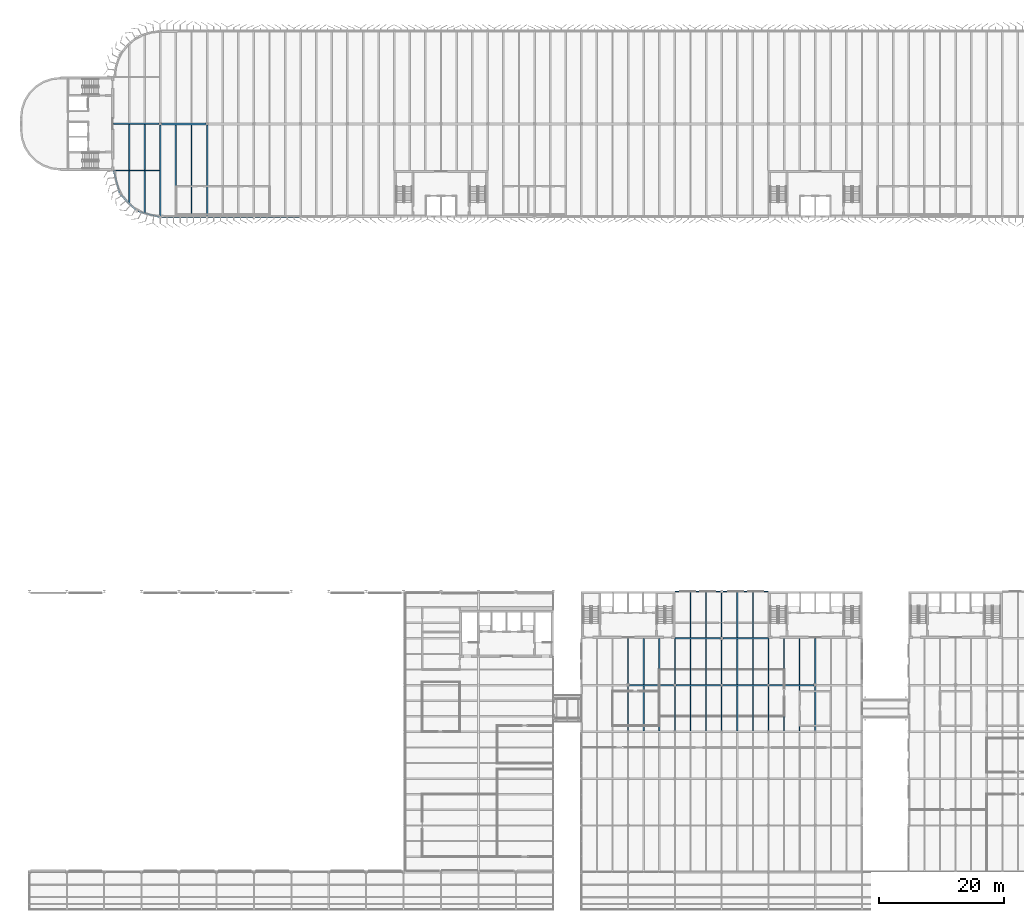
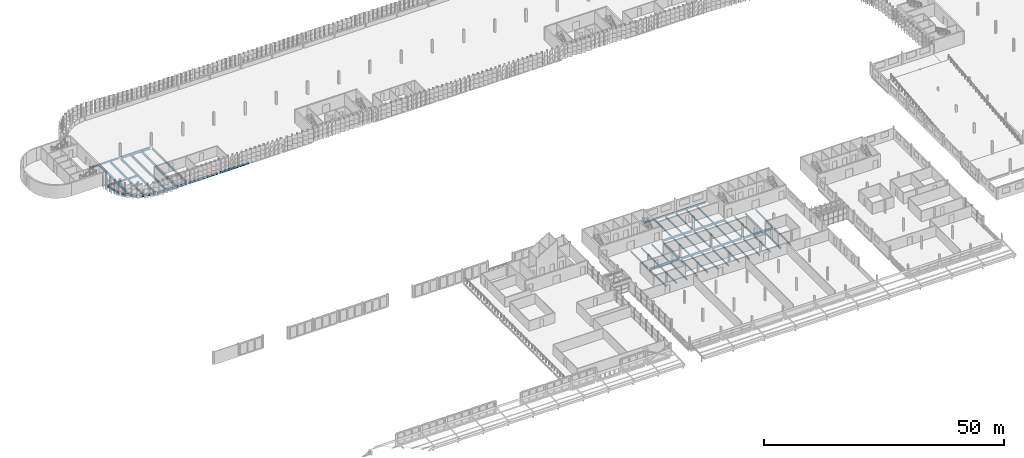
# One storey, part 44 of 214: 56 beams.
"""IFC4 building model written with IfcOpenShell, lengths in metres."""

from ifc_helpers import new_model, si_unit, direction, frame, origin, origin_2d, place, context, subcontext, project, spatial, i_section, extrude, material, material_profile, profile_set, type_object, element, save


model = new_model("IFC4")

# Units and contexts
model_context = context("Model", 3, precision=1e-05, world=origin(), true_north=direction((0.0, 1.0)))
body_context = subcontext(model_context, "Body", "Model", "MODEL_VIEW")
ifc_project = project(units=[si_unit("LENGTHUNIT", "METRE"), si_unit("AREAUNIT", "SQUARE_METRE"), si_unit("VOLUMEUNIT", "CUBIC_METRE"), si_unit("PLANEANGLEUNIT", "RADIAN"), si_unit("MASSUNIT", "GRAM", prefix="KILO")], contexts=[model_context])

# Site, building, storey
site_placement = place(None, origin())
site = spatial("IfcSite", under=ifc_project, at=site_placement, CompositionType="ELEMENT")
building_placement = place(site_placement, origin())
building = spatial("IfcBuilding", under=site, at=building_placement, Name="Parallax Yard Mobility Hub", CompositionType="ELEMENT")
storey_placement = place(building_placement, frame((0.0, 0.0, 3.300048828125)))
storey = spatial("IfcBuildingStorey", under=building, at=storey_placement, Name="L01", CompositionType="ELEMENT", Elevation=3.300048828125)

# Beams
ifc_material = material(Name="Steel ASTM A992", Category="steel")
ifc_material_profile_1 = material_profile(ifc_material, i_section(OverallWidth=0.177978515625, OverallDepth=0.406005859375, WebThickness=0.0078125, FlangeThickness=0.0126953125, FilletRadius=0.01025390625, at=origin_2d()), Name="W410x60")
ifc_profile_set_1 = profile_set([ifc_material_profile_1], Name="Steel ASTM A992")
beam_type_1 = type_object("IfcBeamType", Name="W410x60 secondary beam", PredefinedType="JOIST", material=ifc_profile_set_1)
beam_1_placement = place(storey_placement, frame((107.5, 30.1044921875, -0.343017578125), z_axis=(0.0, 1.0, 0.0), x_axis=(-1.0, 0.0, 0.0)))
element("IfcBeam", 1, at=beam_1_placement, inside=storey, type_object=beam_type_1, Name="Secondary beam B1 level L01, 2.5 m east of line 15 of mobility service centre and workshops, span 4", PredefinedType="JOIST", context=body_context, shape_type="SweptSolid", body=[
    extrude(i_section(OverallWidth=0.177978515625, OverallDepth=0.406005859375, WebThickness=0.0078125, FlangeThickness=0.0126953125, FilletRadius=0.01025390625, at=origin_2d()), origin(), (0.0, 0.0, 1.0), 7.291015625),
])
beam_2_placement = place(storey_placement, frame((107.5, 37.6044921875, -0.343017578125), z_axis=(0.0, 1.0, 0.0), x_axis=(-1.0, 0.0, 0.0)))
element("IfcBeam", 2, at=beam_2_placement, inside=storey, type_object=beam_type_1, Name="Secondary beam B1 level L01, 2.5 m east of line 15 of mobility service centre and workshops, span 5", PredefinedType="JOIST", context=body_context, shape_type="SweptSolid", body=[
    extrude(i_section(OverallWidth=0.177978515625, OverallDepth=0.406005859375, WebThickness=0.0078125, FlangeThickness=0.0126953125, FilletRadius=0.01025390625, at=origin_2d()), origin(), (0.0, 0.0, 1.0), 7.3955078125),
])
for number, where, z_axis, x_axis, name in (
    (3, (115.0, 30.1044921875, -0.343017578125), (0.0, 1.0, 0.0), (-1.0, 0.0, 0.0), "Secondary beam B1 level L01, 2.5 m east of line 16 of mobility service centre and workshops, span 4"),
    (4, (115.0, 37.6044921875, -0.343017578125), (0.0, 1.0, 0.0), (-1.0, 0.0, 0.0), "Secondary beam B1 level L01, 2.5 m east of line 16 of mobility service centre and workshops, span 5"),
):
    element("IfcBeam", number, at=place(storey_placement, frame(where, z_axis=z_axis, x_axis=x_axis)), inside=storey, type_object=beam_type_1, Name=name, PredefinedType="JOIST", context=body_context, shape_type="SweptSolid", body=[
        extrude(i_section(OverallWidth=0.177978515625, OverallDepth=0.406005859375, WebThickness=0.0078125, FlangeThickness=0.0126953125, FilletRadius=0.01025390625, at=origin_2d()), origin(), (0.0, 0.0, 1.0), 7.291015625),
    ])
beam_3_placement = place(storey_placement, frame((115.0, 45.1044921875, -0.343017578125), z_axis=(0.0, 1.0, 0.0), x_axis=(-1.0, 0.0, 0.0)))
element("IfcBeam", 5, at=beam_3_placement, inside=storey, type_object=beam_type_1, Name="Secondary beam B1 level L01, 2.5 m east of line 16 of mobility service centre and workshops, span 6", PredefinedType="JOIST", context=body_context, shape_type="SweptSolid", body=[
    extrude(i_section(OverallWidth=0.177978515625, OverallDepth=0.406005859375, WebThickness=0.0078125, FlangeThickness=0.0126953125, FilletRadius=0.01025390625, at=origin_2d()), origin(), (0.0, 0.0, 1.0), 7.305908203125),
])
for number, where, z_axis, x_axis, name in (
    (6, (122.5, 30.1044921875, -0.343017578125), (0.0, 1.0, 0.0), (-1.0, 0.0, 0.0), "Secondary beam B1 level L01, 2.5 m east of line 17 of mobility service centre and workshops, span 4"),
    (7, (122.5, 37.6044921875, -0.343017578125), (0.0, 1.0, 0.0), (-1.0, 0.0, 0.0), "Secondary beam B1 level L01, 2.5 m east of line 17 of mobility service centre and workshops, span 5"),
):
    element("IfcBeam", number, at=place(storey_placement, frame(where, z_axis=z_axis, x_axis=x_axis)), inside=storey, type_object=beam_type_1, Name=name, PredefinedType="JOIST", context=body_context, shape_type="SweptSolid", body=[
        extrude(i_section(OverallWidth=0.177978515625, OverallDepth=0.406005859375, WebThickness=0.0078125, FlangeThickness=0.0126953125, FilletRadius=0.01025390625, at=origin_2d()), origin(), (0.0, 0.0, 1.0), 7.291015625),
    ])
beam_4_placement = place(storey_placement, frame((122.5, 45.1044921875, -0.343017578125), z_axis=(0.0, 1.0, 0.0), x_axis=(-1.0, 0.0, 0.0)))
element("IfcBeam", 8, at=beam_4_placement, inside=storey, type_object=beam_type_1, Name="Secondary beam B1 level L01, 2.5 m east of line 17 of mobility service centre and workshops, span 6", PredefinedType="JOIST", context=body_context, shape_type="SweptSolid", body=[
    extrude(i_section(OverallWidth=0.177978515625, OverallDepth=0.406005859375, WebThickness=0.0078125, FlangeThickness=0.0126953125, FilletRadius=0.01025390625, at=origin_2d()), origin(), (0.0, 0.0, 1.0), 7.305908203125),
])
beam_5_placement = place(storey_placement, frame((130.0, 30.1044921875, -0.343017578125), z_axis=(0.0, 1.0, 0.0), x_axis=(-1.0, 0.0, 0.0)))
element("IfcBeam", 9, at=beam_5_placement, inside=storey, type_object=beam_type_1, Name="Secondary beam B1 level L01, 2.5 m east of line 18 of mobility service centre and workshops, span 4", PredefinedType="JOIST", context=body_context, shape_type="SweptSolid", body=[
    extrude(i_section(OverallWidth=0.177978515625, OverallDepth=0.406005859375, WebThickness=0.0078125, FlangeThickness=0.0126953125, FilletRadius=0.01025390625, at=origin_2d()), origin(), (0.0, 0.0, 1.0), 7.291015625),
])
beam_6_placement = place(storey_placement, frame((130.0, 37.6044921875, -0.343017578125), z_axis=(0.0, 1.0, 0.0), x_axis=(-1.0, 0.0, 0.0)))
element("IfcBeam", 10, at=beam_6_placement, inside=storey, type_object=beam_type_1, Name="Secondary beam B1 level L01, 2.5 m east of line 18 of mobility service centre and workshops, span 5", PredefinedType="JOIST", context=body_context, shape_type="SweptSolid", body=[
    extrude(i_section(OverallWidth=0.177978515625, OverallDepth=0.406005859375, WebThickness=0.0078125, FlangeThickness=0.0126953125, FilletRadius=0.01025390625, at=origin_2d()), origin(), (0.0, 0.0, 1.0), 7.3955078125),
])
beam_7_placement = place(storey_placement, frame((110.0, 30.1044921875, -0.343017578125), z_axis=(0.0, 1.0, 0.0), x_axis=(-1.0, 0.0, 0.0)))
element("IfcBeam", 11, at=beam_7_placement, inside=storey, type_object=beam_type_1, Name="Secondary beam B1 level L01, 5 m east of line 15 of mobility service centre and workshops, span 4", PredefinedType="JOIST", context=body_context, shape_type="SweptSolid", body=[
    extrude(i_section(OverallWidth=0.177978515625, OverallDepth=0.406005859375, WebThickness=0.0078125, FlangeThickness=0.0126953125, FilletRadius=0.01025390625, at=origin_2d()), origin(), (0.0, 0.0, 1.0), 7.291015625),
])
beam_8_placement = place(storey_placement, frame((110.0, 37.6044921875, -0.343017578125), z_axis=(0.0, 1.0, 0.0), x_axis=(-1.0, 0.0, 0.0)))
element("IfcBeam", 12, at=beam_8_placement, inside=storey, type_object=beam_type_1, Name="Secondary beam B1 level L01, 5 m east of line 15 of mobility service centre and workshops, span 5", PredefinedType="JOIST", context=body_context, shape_type="SweptSolid", body=[
    extrude(i_section(OverallWidth=0.177978515625, OverallDepth=0.406005859375, WebThickness=0.0078125, FlangeThickness=0.0126953125, FilletRadius=0.01025390625, at=origin_2d()), origin(), (0.0, 0.0, 1.0), 7.3955078125),
])
for number, where, z_axis, x_axis, name in (
    (13, (117.5, 30.1044921875, -0.343017578125), (0.0, 1.0, 0.0), (-1.0, 0.0, 0.0), "Secondary beam B1 level L01, 5 m east of line 16 of mobility service centre and workshops, span 4"),
    (14, (117.5, 37.6044921875, -0.343017578125), (0.0, 1.0, 0.0), (-1.0, 0.0, 0.0), "Secondary beam B1 level L01, 5 m east of line 16 of mobility service centre and workshops, span 5"),
):
    element("IfcBeam", number, at=place(storey_placement, frame(where, z_axis=z_axis, x_axis=x_axis)), inside=storey, type_object=beam_type_1, Name=name, PredefinedType="JOIST", context=body_context, shape_type="SweptSolid", body=[
        extrude(i_section(OverallWidth=0.177978515625, OverallDepth=0.406005859375, WebThickness=0.0078125, FlangeThickness=0.0126953125, FilletRadius=0.01025390625, at=origin_2d()), origin(), (0.0, 0.0, 1.0), 7.291015625),
    ])
beam_9_placement = place(storey_placement, frame((117.5, 45.1044921875, -0.343017578125), z_axis=(0.0, 1.0, 0.0), x_axis=(-1.0, 0.0, 0.0)))
element("IfcBeam", 15, at=beam_9_placement, inside=storey, type_object=beam_type_1, Name="Secondary beam B1 level L01, 5 m east of line 16 of mobility service centre and workshops, span 6", PredefinedType="JOIST", context=body_context, shape_type="SweptSolid", body=[
    extrude(i_section(OverallWidth=0.177978515625, OverallDepth=0.406005859375, WebThickness=0.0078125, FlangeThickness=0.0126953125, FilletRadius=0.01025390625, at=origin_2d()), origin(), (0.0, 0.0, 1.0), 7.305908203125),
])
for number, where, z_axis, x_axis, name in (
    (16, (125.0, 30.1044921875, -0.343017578125), (0.0, 1.0, 0.0), (-1.0, 0.0, 0.0), "Secondary beam B1 level L01, 5 m east of line 17 of mobility service centre and workshops, span 4"),
    (17, (125.0, 37.6044921875, -0.343017578125), (0.0, 1.0, 0.0), (-1.0, 0.0, 0.0), "Secondary beam B1 level L01, 5 m east of line 17 of mobility service centre and workshops, span 5"),
):
    element("IfcBeam", number, at=place(storey_placement, frame(where, z_axis=z_axis, x_axis=x_axis)), inside=storey, type_object=beam_type_1, Name=name, PredefinedType="JOIST", context=body_context, shape_type="SweptSolid", body=[
        extrude(i_section(OverallWidth=0.177978515625, OverallDepth=0.406005859375, WebThickness=0.0078125, FlangeThickness=0.0126953125, FilletRadius=0.01025390625, at=origin_2d()), origin(), (0.0, 0.0, 1.0), 7.291015625),
    ])
beam_10_placement = place(storey_placement, frame((125.0, 45.1044921875, -0.343017578125), z_axis=(0.0, 1.0, 0.0), x_axis=(-1.0, 0.0, 0.0)))
element("IfcBeam", 18, at=beam_10_placement, inside=storey, type_object=beam_type_1, Name="Secondary beam B1 level L01, 5 m east of line 17 of mobility service centre and workshops, span 6", PredefinedType="JOIST", context=body_context, shape_type="SweptSolid", body=[
    extrude(i_section(OverallWidth=0.177978515625, OverallDepth=0.406005859375, WebThickness=0.0078125, FlangeThickness=0.0126953125, FilletRadius=0.01025390625, at=origin_2d()), origin(), (0.0, 0.0, 1.0), 7.305908203125),
])
beam_11_placement = place(storey_placement, frame((132.5, 30.1044921875, -0.343017578125), z_axis=(0.0, 1.0, 0.0), x_axis=(-1.0, 0.0, 0.0)))
element("IfcBeam", 19, at=beam_11_placement, inside=storey, type_object=beam_type_1, Name="Secondary beam B1 level L01, 5 m east of line 18 of mobility service centre and workshops, span 4", PredefinedType="JOIST", context=body_context, shape_type="SweptSolid", body=[
    extrude(i_section(OverallWidth=0.177978515625, OverallDepth=0.406005859375, WebThickness=0.0078125, FlangeThickness=0.0126953125, FilletRadius=0.01025390625, at=origin_2d()), origin(), (0.0, 0.0, 1.0), 7.291015625),
])
beam_12_placement = place(storey_placement, frame((132.5, 37.6044921875, -0.343017578125), z_axis=(0.0, 1.0, 0.0), x_axis=(-1.0, 0.0, 0.0)))
element("IfcBeam", 20, at=beam_12_placement, inside=storey, type_object=beam_type_1, Name="Secondary beam B1 level L01, 5 m east of line 18 of mobility service centre and workshops, span 5", PredefinedType="JOIST", context=body_context, shape_type="SweptSolid", body=[
    extrude(i_section(OverallWidth=0.177978515625, OverallDepth=0.406005859375, WebThickness=0.0078125, FlangeThickness=0.0126953125, FilletRadius=0.01025390625, at=origin_2d()), origin(), (0.0, 0.0, 1.0), 7.3955078125),
])
ifc_material_profile_2 = material_profile(ifc_material, i_section(OverallWidth=0.178955078125, OverallDepth=0.408935546875, WebThickness=0.0087890625, FlangeThickness=0.014404296875, FilletRadius=0.01025390625, at=origin_2d()), Name="W410x67")
ifc_profile_set_2 = profile_set([ifc_material_profile_2], Name="Steel ASTM A992")
beam_type_2 = type_object("IfcBeamType", Name="W410x67 edge beam", PredefinedType="SPANDREL", material=ifc_profile_set_2)
for number, where, z_axis, x_axis, name in (
    (21, (112.5, 52.5, -0.344482421875), (1.0, 0.0, 0.0), (0.0, 1.0, 0.0), "Edge beam SB3 level L01, line H of mobility service centre and workshops, span 1"),
    (22, (120.197021484375, 52.5, -0.344482421875), (1.0, 0.0, 0.0), (0.0, 1.0, 0.0), "Edge beam SB3 level L01, line H of mobility service centre and workshops, span 2"),
):
    element("IfcBeam", number, at=place(storey_placement, frame(where, z_axis=z_axis, x_axis=x_axis)), inside=storey, type_object=beam_type_2, Name=name, PredefinedType="SPANDREL", context=body_context, shape_type="SweptSolid", body=[
        extrude(i_section(OverallWidth=0.178955078125, OverallDepth=0.408935546875, WebThickness=0.0087890625, FlangeThickness=0.014404296875, FilletRadius=0.01025390625, at=origin_2d()), origin(), (0.0, 0.0, 1.0), 7.302978515625),
    ])
ifc_material_profile_3 = material_profile(ifc_material, i_section(OverallWidth=0.178955078125, OverallDepth=0.408935546875, WebThickness=0.0087890625, FlangeThickness=0.014404296875, FilletRadius=0.01025390625, at=origin_2d()), Name="W410x67")
ifc_profile_set_3 = profile_set([ifc_material_profile_3], Name="Steel ASTM A992")
beam_type_3 = type_object("IfcBeamType", Name="W410x67 girder", PredefinedType="BEAM", material=ifc_profile_set_3)
beam_13_placement = place(storey_placement, frame((105.0, 30.158935546875, -0.344482421875), z_axis=(0.0, 1.0, 0.0), x_axis=(-1.0, 0.0, 0.0)))
element("IfcBeam", 23, at=beam_13_placement, inside=storey, type_object=beam_type_3, Name="Girder G1 level L01, line 15 of mobility service centre and workshops, span 4", PredefinedType="BEAM", context=body_context, shape_type="SweptSolid", body=[
    extrude(i_section(OverallWidth=0.178955078125, OverallDepth=0.408935546875, WebThickness=0.0087890625, FlangeThickness=0.014404296875, FilletRadius=0.01025390625, at=origin_2d()), origin(), (0.0, 0.0, 1.0), 7.150634765625),
])
beam_14_placement = place(storey_placement, frame((105.0, 37.6904296875, -0.344482421875), z_axis=(0.0, 1.0, 0.0), x_axis=(-1.0, 0.0, 0.0)))
element("IfcBeam", 24, at=beam_14_placement, inside=storey, type_object=beam_type_3, Name="Girder G1 level L01, line 15 of mobility service centre and workshops, span 5", PredefinedType="BEAM", context=body_context, shape_type="SweptSolid", body=[
    extrude(i_section(OverallWidth=0.178955078125, OverallDepth=0.408935546875, WebThickness=0.0087890625, FlangeThickness=0.014404296875, FilletRadius=0.01025390625, at=origin_2d()), origin(), (0.0, 0.0, 1.0), 7.3095703125),
])
beam_15_placement = place(storey_placement, frame((112.5, 30.158935546875, -0.344482421875), z_axis=(0.0, 1.0, 0.0), x_axis=(-1.0, 0.0, 0.0)))
element("IfcBeam", 25, at=beam_15_placement, inside=storey, type_object=beam_type_3, Name="Girder G1 level L01, line 16 of mobility service centre and workshops, span 4", PredefinedType="BEAM", context=body_context, shape_type="SweptSolid", body=[
    extrude(i_section(OverallWidth=0.178955078125, OverallDepth=0.408935546875, WebThickness=0.0087890625, FlangeThickness=0.014404296875, FilletRadius=0.01025390625, at=origin_2d()), origin(), (0.0, 0.0, 1.0), 7.156982421875),
])
beam_16_placement = place(storey_placement, frame((112.5, 37.68408203125, -0.344482421875), z_axis=(0.0, 1.0, 0.0), x_axis=(-1.0, 0.0, 0.0)))
element("IfcBeam", 26, at=beam_16_placement, inside=storey, type_object=beam_type_3, Name="Girder G1 level L01, line 16 of mobility service centre and workshops, span 5", PredefinedType="BEAM", context=body_context, shape_type="SweptSolid", body=[
    extrude(i_section(OverallWidth=0.178955078125, OverallDepth=0.408935546875, WebThickness=0.0087890625, FlangeThickness=0.014404296875, FilletRadius=0.01025390625, at=origin_2d()), origin(), (0.0, 0.0, 1.0), 7.31591796875),
])
beam_17_placement = place(storey_placement, frame((120.0, 30.158935546875, -0.344482421875), z_axis=(0.0, 1.0, 0.0), x_axis=(-1.0, 0.0, 0.0)))
element("IfcBeam", 27, at=beam_17_placement, inside=storey, type_object=beam_type_3, Name="Girder G1 level L01, line 17 of mobility service centre and workshops, span 4", PredefinedType="BEAM", context=body_context, shape_type="SweptSolid", body=[
    extrude(i_section(OverallWidth=0.178955078125, OverallDepth=0.408935546875, WebThickness=0.0087890625, FlangeThickness=0.014404296875, FilletRadius=0.01025390625, at=origin_2d()), origin(), (0.0, 0.0, 1.0), 7.18212890625),
])
beam_18_placement = place(storey_placement, frame((120.0, 37.658935546875, -0.344482421875), z_axis=(0.0, 1.0, 0.0), x_axis=(-1.0, 0.0, 0.0)))
element("IfcBeam", 28, at=beam_18_placement, inside=storey, type_object=beam_type_3, Name="Girder G1 level L01, line 17 of mobility service centre and workshops, span 5", PredefinedType="BEAM", context=body_context, shape_type="SweptSolid", body=[
    extrude(i_section(OverallWidth=0.178955078125, OverallDepth=0.408935546875, WebThickness=0.0087890625, FlangeThickness=0.014404296875, FilletRadius=0.01025390625, at=origin_2d()), origin(), (0.0, 0.0, 1.0), 7.150634765625),
])
beam_19_placement = place(storey_placement, frame((120.0, 45.1904296875, -0.344482421875), z_axis=(0.0, 1.0, 0.0), x_axis=(-1.0, 0.0, 0.0)))
element("IfcBeam", 29, at=beam_19_placement, inside=storey, type_object=beam_type_3, Name="Girder G1 level L01, line 17 of mobility service centre and workshops, span 6", PredefinedType="BEAM", context=body_context, shape_type="SweptSolid", body=[
    extrude(i_section(OverallWidth=0.178955078125, OverallDepth=0.408935546875, WebThickness=0.0087890625, FlangeThickness=0.014404296875, FilletRadius=0.01025390625, at=origin_2d()), origin(), (0.0, 0.0, 1.0), 7.12158203125),
])
beam_20_placement = place(storey_placement, frame((127.5, 30.158935546875, -0.344482421875), z_axis=(0.0, 1.0, 0.0), x_axis=(-1.0, 0.0, 0.0)))
element("IfcBeam", 30, at=beam_20_placement, inside=storey, type_object=beam_type_3, Name="Girder G1 level L01, line 18 of mobility service centre and workshops, span 4", PredefinedType="BEAM", context=body_context, shape_type="SweptSolid", body=[
    extrude(i_section(OverallWidth=0.178955078125, OverallDepth=0.408935546875, WebThickness=0.0087890625, FlangeThickness=0.014404296875, FilletRadius=0.01025390625, at=origin_2d()), origin(), (0.0, 0.0, 1.0), 7.156982421875),
])
beam_21_placement = place(storey_placement, frame((127.5, 37.68408203125, -0.344482421875), z_axis=(0.0, 1.0, 0.0), x_axis=(-1.0, 0.0, 0.0)))
element("IfcBeam", 31, at=beam_21_placement, inside=storey, type_object=beam_type_3, Name="Girder G1 level L01, line 18 of mobility service centre and workshops, span 5", PredefinedType="BEAM", context=body_context, shape_type="SweptSolid", body=[
    extrude(i_section(OverallWidth=0.178955078125, OverallDepth=0.408935546875, WebThickness=0.0087890625, FlangeThickness=0.014404296875, FilletRadius=0.01025390625, at=origin_2d()), origin(), (0.0, 0.0, 1.0), 7.31591796875),
])
beam_22_placement = place(storey_placement, frame((135.0, 30.158935546875, -0.344482421875), z_axis=(0.0, 1.0, 0.0), x_axis=(-1.0, 0.0, 0.0)))
element("IfcBeam", 32, at=beam_22_placement, inside=storey, type_object=beam_type_3, Name="Girder G1 level L01, line 19 of mobility service centre and workshops, span 4", PredefinedType="BEAM", context=body_context, shape_type="SweptSolid", body=[
    extrude(i_section(OverallWidth=0.178955078125, OverallDepth=0.408935546875, WebThickness=0.0087890625, FlangeThickness=0.014404296875, FilletRadius=0.01025390625, at=origin_2d()), origin(), (0.0, 0.0, 1.0), 7.150634765625),
])
beam_23_placement = place(storey_placement, frame((135.0, 37.6904296875, -0.344482421875), z_axis=(0.0, 1.0, 0.0), x_axis=(-1.0, 0.0, 0.0)))
element("IfcBeam", 33, at=beam_23_placement, inside=storey, type_object=beam_type_3, Name="Girder G1 level L01, line 19 of mobility service centre and workshops, span 5", PredefinedType="BEAM", context=body_context, shape_type="SweptSolid", body=[
    extrude(i_section(OverallWidth=0.178955078125, OverallDepth=0.408935546875, WebThickness=0.0087890625, FlangeThickness=0.014404296875, FilletRadius=0.01025390625, at=origin_2d()), origin(), (0.0, 0.0, 1.0), 7.3095703125),
])
ifc_material_profile_4 = material_profile(ifc_material, i_section(OverallWidth=0.19091796875, OverallDepth=0.45703125, WebThickness=0.009033203125, FlangeThickness=0.014404296875, FilletRadius=0.01025390625, at=origin_2d()), Name="W460x74")
ifc_profile_set_4 = profile_set([ifc_material_profile_4], Name="Steel ASTM A992")
beam_type_4 = type_object("IfcBeamType", Name="W460x74 longitudinal beam", PredefinedType="BEAM", material=ifc_profile_set_4)
beam_24_placement = place(storey_placement, frame((22.608154296875, 120.0, -0.36865234375), z_axis=(1.0, 0.0, 0.0), x_axis=(0.0, 1.0, 0.0)))
element("IfcBeam", 34, at=beam_24_placement, inside=storey, type_object=beam_type_4, Name="Longitudinal beam SB4 level L01, line S of ramped parking decks, span 1", PredefinedType="BEAM", context=body_context, shape_type="SweptSolid", body=[
    extrude(i_section(OverallWidth=0.19091796875, OverallDepth=0.45703125, WebThickness=0.009033203125, FlangeThickness=0.014404296875, FilletRadius=0.01025390625, at=origin_2d()), origin(), (0.0, 0.0, 1.0), 7.27734375),
])
beam_25_placement = place(storey_placement, frame((22.5, 127.5, -0.36865234375), z_axis=(1.0, 0.0, 0.0), x_axis=(0.0, 1.0, 0.0)))
element("IfcBeam", 35, at=beam_25_placement, inside=storey, type_object=beam_type_4, Name="Longitudinal beam SB4 level L01, line T of ramped parking decks, span 20", PredefinedType="BEAM", context=body_context, shape_type="SweptSolid", body=[
    extrude(i_section(OverallWidth=0.19091796875, OverallDepth=0.45703125, WebThickness=0.009033203125, FlangeThickness=0.014404296875, FilletRadius=0.01025390625, at=origin_2d()), origin(), (0.0, 0.0, 1.0), 7.302001953125),
])
ifc_material_profile_5 = material_profile(ifc_material, i_section(OverallWidth=0.208984375, OverallDepth=0.532958984375, WebThickness=0.01025390625, FlangeThickness=0.015625, FilletRadius=0.0126953125, at=origin_2d()), Name="W530x92")
ifc_profile_set_5 = profile_set([ifc_material_profile_5], Name="Steel ASTM A992")
beam_type_5 = type_object("IfcBeamType", Name="W530x92 edge beam", PredefinedType="SPANDREL", material=ifc_profile_set_5)
beam_26_placement = place(storey_placement, frame((30.155029296875, 112.5, -0.406494140625), z_axis=(1.0, 0.0, 0.0), x_axis=(0.0, 1.0, 0.0)))
element("IfcBeam", 36, at=beam_26_placement, inside=storey, type_object=beam_type_5, Name="Edge beam SB5 level L01, line R of ramped parking decks, span 1", PredefinedType="SPANDREL", context=body_context, shape_type="SweptSolid", body=[
    extrude(i_section(OverallWidth=0.208984375, OverallDepth=0.532958984375, WebThickness=0.01025390625, FlangeThickness=0.015625, FilletRadius=0.0126953125, at=origin_2d()), origin(), (0.0, 0.0, 1.0), 7.19140625),
])
for number, where, z_axis, x_axis, name in (
    (37, (37.653564453125, 112.5, -0.406494140625), (1.0, 0.0, 0.0), (0.0, 1.0, 0.0), "Edge beam SB5 level L01, line R of ramped parking decks, span 2"),
    (38, (45.153564453125, 112.5, -0.406494140625), (1.0, 0.0, 0.0), (0.0, 1.0, 0.0), "Edge beam SB5 level L01, line R of ramped parking decks, span 3"),
):
    element("IfcBeam", number, at=place(storey_placement, frame(where, z_axis=z_axis, x_axis=x_axis)), inside=storey, type_object=beam_type_5, Name=name, PredefinedType="SPANDREL", context=body_context, shape_type="SweptSolid", body=[
        extrude(i_section(OverallWidth=0.208984375, OverallDepth=0.532958984375, WebThickness=0.01025390625, FlangeThickness=0.015625, FilletRadius=0.0126953125, at=origin_2d()), origin(), (0.0, 0.0, 1.0), 7.19287109375),
    ])
beam_27_placement = place(storey_placement, frame((22.5, 120.0, -0.406494140625), z_axis=(0.2588092838, -0.965928441769, 0.0), x_axis=(0.965928441769, 0.2588092838, 0.0)))
element("IfcBeam", 39, at=beam_27_placement, inside=storey, type_object=beam_type_5, Name="Edge beam SB5 level L01, the west end of ramped parking decks, span 1", PredefinedType="SPANDREL", context=body_context, shape_type="SweptSolid", body=[
    extrude(i_section(OverallWidth=0.208984375, OverallDepth=0.532958984375, WebThickness=0.01025390625, FlangeThickness=0.015625, FilletRadius=0.0126953125, at=origin_2d()), origin(), (0.0, 0.0, 1.0), 3.723388671875),
])
beam_28_placement = place(storey_placement, frame((23.6572265625, 116.097412109375, -0.406494140625), z_axis=(0.707106781187, -0.707106781187, 0.0), x_axis=(0.707106781187, 0.707106781187, 0.0)))
element("IfcBeam", 40, at=beam_28_placement, inside=storey, type_object=beam_type_5, Name="Edge beam SB5 level L01, the west end of ramped parking decks, span 3", PredefinedType="SPANDREL", context=body_context, shape_type="SweptSolid", body=[
    extrude(i_section(OverallWidth=0.208984375, OverallDepth=0.532958984375, WebThickness=0.01025390625, FlangeThickness=0.015625, FilletRadius=0.0126953125, at=origin_2d()), origin(), (0.0, 0.0, 1.0), 3.450927734375),
])
beam_29_placement = place(storey_placement, frame((26.402587890625, 113.4638671875, -0.406494140625), z_axis=(0.965927258266, -0.258813700832, 0.0), x_axis=(0.258813700832, 0.965927258266, 0.0)))
element("IfcBeam", 41, at=beam_29_placement, inside=storey, type_object=beam_type_5, Name="Edge beam SB5 level L01, the west end of ramped parking decks, span 5", PredefinedType="SPANDREL", context=body_context, shape_type="SweptSolid", body=[
    extrude(i_section(OverallWidth=0.208984375, OverallDepth=0.532958984375, WebThickness=0.01025390625, FlangeThickness=0.015625, FilletRadius=0.0126953125, at=origin_2d()), origin(), (0.0, 0.0, 1.0), 3.563720703125),
])
ifc_material_profile_6 = material_profile(ifc_material, i_section(OverallWidth=0.208984375, OverallDepth=0.532958984375, WebThickness=0.01025390625, FlangeThickness=0.015625, FilletRadius=0.0126953125, at=origin_2d()), Name="W530x92")
ifc_profile_set_6 = profile_set([ifc_material_profile_6], Name="Steel ASTM A992")
beam_type_6 = type_object("IfcBeamType", Name="W530x92 longitudinal beam", PredefinedType="BEAM", material=ifc_profile_set_6)
beam_30_placement = place(storey_placement, frame((105.197998046875, 37.5, -0.406494140625), z_axis=(1.0, 0.0, 0.0), x_axis=(0.0, 1.0, 0.0)))
element("IfcBeam", 42, at=beam_30_placement, inside=storey, type_object=beam_type_6, Name="Longitudinal beam SB6 level L01, line F of mobility service centre and workshops, span 2", PredefinedType="BEAM", context=body_context, shape_type="SweptSolid", body=[
    extrude(i_section(OverallWidth=0.208984375, OverallDepth=0.532958984375, WebThickness=0.01025390625, FlangeThickness=0.015625, FilletRadius=0.0126953125, at=origin_2d()), origin(), (0.0, 0.0, 1.0), 7.115478515625),
])
for number, where, z_axis, x_axis, name in (
    (43, (112.6865234375, 37.5, -0.406494140625), (1.0, 0.0, 0.0), (0.0, 1.0, 0.0), "Longitudinal beam SB6 level L01, line F of mobility service centre and workshops, span 3"),
    (44, (120.153564453125, 37.5, -0.406494140625), (1.0, 0.0, 0.0), (0.0, 1.0, 0.0), "Longitudinal beam SB6 level L01, line F of mobility service centre and workshops, span 4"),
):
    element("IfcBeam", number, at=place(storey_placement, frame(where, z_axis=z_axis, x_axis=x_axis)), inside=storey, type_object=beam_type_6, Name=name, PredefinedType="BEAM", context=body_context, shape_type="SweptSolid", body=[
        extrude(i_section(OverallWidth=0.208984375, OverallDepth=0.532958984375, WebThickness=0.01025390625, FlangeThickness=0.015625, FilletRadius=0.0126953125, at=origin_2d()), origin(), (0.0, 0.0, 1.0), 7.159912109375),
    ])
beam_31_placement = place(storey_placement, frame((127.6865234375, 37.5, -0.406494140625), z_axis=(1.0, 0.0, 0.0), x_axis=(0.0, 1.0, 0.0)))
element("IfcBeam", 45, at=beam_31_placement, inside=storey, type_object=beam_type_6, Name="Longitudinal beam SB6 level L01, line F of mobility service centre and workshops, span 5", PredefinedType="BEAM", context=body_context, shape_type="SweptSolid", body=[
    extrude(i_section(OverallWidth=0.208984375, OverallDepth=0.532958984375, WebThickness=0.01025390625, FlangeThickness=0.015625, FilletRadius=0.0126953125, at=origin_2d()), origin(), (0.0, 0.0, 1.0), 7.115478515625),
])
for number, where, z_axis, x_axis, name in (
    (46, (112.5, 45.0, -0.406494140625), (1.0, 0.0, 0.0), (0.0, 1.0, 0.0), "Longitudinal beam SB6 level L01, line G of mobility service centre and workshops, span 1"),
    (47, (120.197998046875, 45.0, -0.406494140625), (1.0, 0.0, 0.0), (0.0, 1.0, 0.0), "Longitudinal beam SB6 level L01, line G of mobility service centre and workshops, span 2"),
):
    element("IfcBeam", number, at=place(storey_placement, frame(where, z_axis=z_axis, x_axis=x_axis)), inside=storey, type_object=beam_type_6, Name=name, PredefinedType="BEAM", context=body_context, shape_type="SweptSolid", body=[
        extrude(i_section(OverallWidth=0.208984375, OverallDepth=0.532958984375, WebThickness=0.01025390625, FlangeThickness=0.015625, FilletRadius=0.0126953125, at=origin_2d()), origin(), (0.0, 0.0, 1.0), 7.302001953125),
    ])
ifc_material_profile_7 = material_profile(ifc_material, i_section(OverallWidth=0.22802734375, OverallDepth=0.60205078125, WebThickness=0.010498046875, FlangeThickness=0.014892578125, FilletRadius=0.0126953125, at=origin_2d()), Name="W610x101")
ifc_profile_set_7 = profile_set([ifc_material_profile_7], Name="Steel ASTM A992")
beam_type_7 = type_object("IfcBeamType", Name="W610x101 secondary beam", PredefinedType="JOIST", material=ifc_profile_set_7)
beam_32_placement = place(storey_placement, frame((25.0, 114.902587890625, -0.441162109375), z_axis=(0.0, 1.0, 0.0), x_axis=(-1.0, 0.0, 0.0)))
element("IfcBeam", 48, at=beam_32_placement, inside=storey, type_object=beam_type_7, Name="Secondary beam B3 level L01, 2.5 m east of line 4 of ramped parking decks, span 1", PredefinedType="JOIST", context=body_context, shape_type="SweptSolid", body=[
    extrude(i_section(OverallWidth=0.22802734375, OverallDepth=0.60205078125, WebThickness=0.010498046875, FlangeThickness=0.014892578125, FilletRadius=0.0126953125, at=origin_2d()), origin(), (0.0, 0.0, 1.0), 5.001953125),
])
beam_33_placement = place(storey_placement, frame((25.0, 120.095458984375, -0.441162109375), z_axis=(0.0, 1.0, 0.0), x_axis=(-1.0, 0.0, 0.0)))
element("IfcBeam", 49, at=beam_33_placement, inside=storey, type_object=beam_type_7, Name="Secondary beam B3 level L01, 2.5 m east of line 4 of ramped parking decks, span 2", PredefinedType="JOIST", context=body_context, shape_type="SweptSolid", body=[
    extrude(i_section(OverallWidth=0.22802734375, OverallDepth=0.60205078125, WebThickness=0.010498046875, FlangeThickness=0.014892578125, FilletRadius=0.0126953125, at=origin_2d()), origin(), (0.0, 0.0, 1.0), 7.30908203125),
])
beam_34_placement = place(storey_placement, frame((32.5, 112.6044921875, -0.441162109375), z_axis=(0.0, 1.0, 0.0), x_axis=(-1.0, 0.0, 0.0)))
element("IfcBeam", 50, at=beam_34_placement, inside=storey, type_object=beam_type_7, Name="Secondary beam B3 level L01, 2.5 m east of line 5 of ramped parking decks, span 1", PredefinedType="JOIST", context=body_context, shape_type="SweptSolid", body=[
    extrude(i_section(OverallWidth=0.22802734375, OverallDepth=0.60205078125, WebThickness=0.010498046875, FlangeThickness=0.014892578125, FilletRadius=0.0126953125, at=origin_2d()), origin(), (0.0, 0.0, 1.0), 14.73291015625),
])
beam_35_placement = place(storey_placement, frame((27.5, 113.278076171875, -0.441162109375), z_axis=(0.0, 1.0, 0.0), x_axis=(-1.0, 0.0, 0.0)))
element("IfcBeam", 51, at=beam_35_placement, inside=storey, type_object=beam_type_7, Name="Secondary beam B3 level L01, 5 m east of line 4 of ramped parking decks, span 1", PredefinedType="JOIST", context=body_context, shape_type="SweptSolid", body=[
    extrude(i_section(OverallWidth=0.22802734375, OverallDepth=0.60205078125, WebThickness=0.010498046875, FlangeThickness=0.014892578125, FilletRadius=0.0126953125, at=origin_2d()), origin(), (0.0, 0.0, 1.0), 6.62646484375),
])
beam_36_placement = place(storey_placement, frame((27.5, 120.095458984375, -0.441162109375), z_axis=(0.0, 1.0, 0.0), x_axis=(-1.0, 0.0, 0.0)))
element("IfcBeam", 52, at=beam_36_placement, inside=storey, type_object=beam_type_7, Name="Secondary beam B3 level L01, 5 m east of line 4 of ramped parking decks, span 2", PredefinedType="JOIST", context=body_context, shape_type="SweptSolid", body=[
    extrude(i_section(OverallWidth=0.22802734375, OverallDepth=0.60205078125, WebThickness=0.010498046875, FlangeThickness=0.014892578125, FilletRadius=0.0126953125, at=origin_2d()), origin(), (0.0, 0.0, 1.0), 7.30908203125),
])
beam_37_placement = place(storey_placement, frame((35.0, 112.6044921875, -0.441162109375), z_axis=(0.0, 1.0, 0.0), x_axis=(-1.0, 0.0, 0.0)))
element("IfcBeam", 53, at=beam_37_placement, inside=storey, type_object=beam_type_7, Name="Secondary beam B3 level L01, 5 m east of line 5 of ramped parking decks, span 1", PredefinedType="JOIST", context=body_context, shape_type="SweptSolid", body=[
    extrude(i_section(OverallWidth=0.22802734375, OverallDepth=0.60205078125, WebThickness=0.010498046875, FlangeThickness=0.014892578125, FilletRadius=0.0126953125, at=origin_2d()), origin(), (0.0, 0.0, 1.0), 14.73291015625),
])
ifc_material_profile_8 = material_profile(ifc_material, i_section(OverallWidth=0.22900390625, OverallDepth=0.612060546875, WebThickness=0.011962890625, FlangeThickness=0.01953125, FilletRadius=0.0126953125, at=origin_2d()), Name="W610x125")
ifc_profile_set_8 = profile_set([ifc_material_profile_8], Name="Steel ASTM A992")
beam_type_8 = type_object("IfcBeamType", Name="W610x125 girder", PredefinedType="BEAM", material=ifc_profile_set_8)
beam_38_placement = place(storey_placement, frame((30.0, 112.6640625, -0.446044921875), z_axis=(0.0, 1.0, 0.0), x_axis=(-1.0, 0.0, 0.0)))
element("IfcBeam", 54, at=beam_38_placement, inside=storey, type_object=beam_type_8, Name="Girder G3 level L01, line 5 of ramped parking decks, span 1", PredefinedType="BEAM", context=body_context, shape_type="SweptSolid", body=[
    extrude(i_section(OverallWidth=0.22900390625, OverallDepth=0.612060546875, WebThickness=0.011962890625, FlangeThickness=0.01953125, FilletRadius=0.0126953125, at=origin_2d()), origin(), (0.0, 0.0, 1.0), 14.6455078125),
])
beam_39_placement = place(storey_placement, frame((37.5, 112.658935546875, -0.446044921875), z_axis=(0.0, 1.0, 0.0), x_axis=(-1.0, 0.0, 0.0)))
element("IfcBeam", 55, at=beam_39_placement, inside=storey, type_object=beam_type_8, Name="Girder G3 level L01, line 6 of ramped parking decks, span 1", PredefinedType="BEAM", context=body_context, shape_type="SweptSolid", body=[
    extrude(i_section(OverallWidth=0.22900390625, OverallDepth=0.612060546875, WebThickness=0.011962890625, FlangeThickness=0.01953125, FilletRadius=0.0126953125, at=origin_2d()), origin(), (0.0, 0.0, 1.0), 14.650634765625),
])
ifc_material_profile_9 = material_profile(ifc_material, i_section(OverallWidth=0.324951171875, OverallDepth=0.612060546875, WebThickness=0.0126953125, FlangeThickness=0.01904296875, FilletRadius=0.0126953125, at=origin_2d()), Name="W610x155")
ifc_profile_set_9 = profile_set([ifc_material_profile_9], Name="Steel ASTM A992")
beam_type_9 = type_object("IfcBeamType", Name="W610x155 longitudinal beam", PredefinedType="BEAM", material=ifc_profile_set_9)
beam_40_placement = place(storey_placement, frame((30.197998046875, 127.5, -0.446044921875), z_axis=(1.0, 0.0, 0.0), x_axis=(0.0, 1.0, 0.0)))
element("IfcBeam", 56, at=beam_40_placement, inside=storey, type_object=beam_type_9, Name="Longitudinal beam SB8 level L01, line T of ramped parking decks, span 1", PredefinedType="BEAM", context=body_context, shape_type="SweptSolid", body=[
    extrude(i_section(OverallWidth=0.324951171875, OverallDepth=0.612060546875, WebThickness=0.0126953125, FlangeThickness=0.01904296875, FilletRadius=0.0126953125, at=origin_2d()), origin(), (0.0, 0.0, 1.0), 7.10400390625),
])

save(model, "model.ifc")
